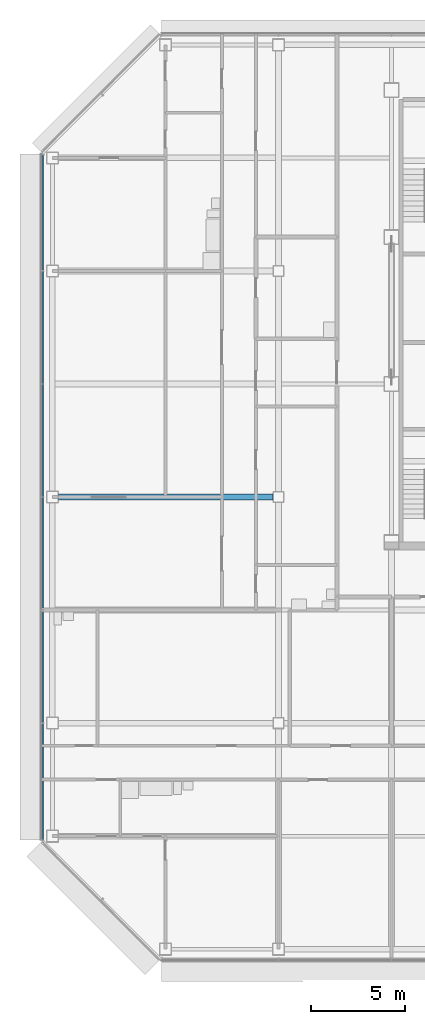
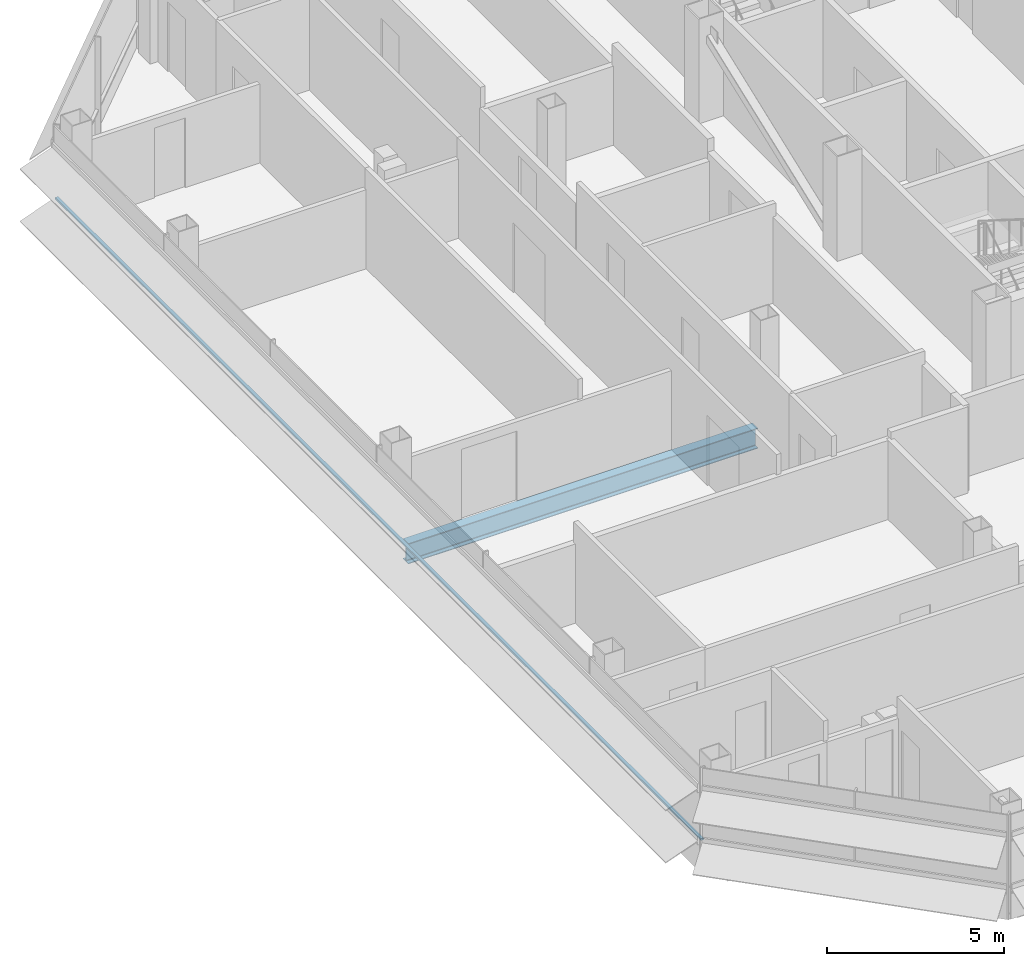
# One storey, part 5 of 27: 1 beam, 1 member, 1 element without a shape of its own.
"""IFC4 building model written with IfcOpenShell, lengths in metres."""

from ifc_helpers import new_model, si_unit, direction, frame, origin, origin_2d, place, context, subcontext, project, spatial, rectangle, i_section, extrude, material, material_profile, profile_set, type_object, element, aggregate, save


model = new_model("IFC4")

# Units and contexts
model_context = context("Model", 3, precision=1e-05, world=origin(), true_north=direction((0.0, 1.0)))
body_context = subcontext(model_context, "Body", "Model", "MODEL_VIEW")
ifc_project = project(units=[si_unit("LENGTHUNIT", "METRE"), si_unit("AREAUNIT", "SQUARE_METRE"), si_unit("VOLUMEUNIT", "CUBIC_METRE"), si_unit("PLANEANGLEUNIT", "RADIAN"), si_unit("MASSUNIT", "GRAM", prefix="KILO")], contexts=[model_context])

# Site, building, storey
site_placement = place(None, origin())
site = spatial("IfcSite", under=ifc_project, at=site_placement, CompositionType="ELEMENT")
building_placement = place(site_placement, origin())
building = spatial("IfcBuilding", under=site, at=building_placement, Name="Sorahane Residences", CompositionType="ELEMENT")
storey_placement = place(building_placement, frame((0.0, 0.0, 239.60009765625)))
storey = spatial("IfcBuildingStorey", under=building, at=storey_placement, Name="L56", CompositionType="ELEMENT", Elevation=239.60009765625)

# Curtain wall, member
ifc_material_1 = material(Name="Dark low-e glass and black anodised aluminium", Category="aluminium")
curtain_wall_type = type_object("IfcCurtainWallType", Name="Curtain wall CW-1 Typical unitised wall", PredefinedType="NOTDEFINED", material=ifc_material_1)
curtain_wall_placement = place(storey_placement, origin())
curtain_wall = element("IfcCurtainWall", 1, at=curtain_wall_placement, inside=storey, type_object=curtain_wall_type, Name="CW-1 curtain wall L56 W1", PredefinedType="NOTDEFINED")
ifc_material_2 = material(Name="Black anodised aluminium", Category="aluminium")
ifc_material_profile_1 = material_profile(ifc_material_2, rectangle(XDim=0.10009765625, YDim=0.06005859375, at=origin_2d()), Name="Curtain wall transom CW-1 black anodised aluminium 60x100")
ifc_profile_set_1 = profile_set([ifc_material_profile_1], Name="Black anodised aluminium")
member_type = type_object("IfcMemberType", Name="Curtain wall transom CW-1 black anodised aluminium 60x100", PredefinedType="USERDEFINED", material=ifc_profile_set_1)
member_placement = place(storey_placement, frame((-12.530029296875, 42.198486328125, 0.89990234375), z_axis=(0.0, -1.0, 0.0), x_axis=(1.0, 0.0, 0.0)))
member = element("IfcMember", 2, at=member_placement, type_object=member_type, Name="CW-1 transom L56 W1", ObjectType="TRANSOM", PredefinedType="USERDEFINED", context=body_context, shape_type="SweptSolid", body=[
    extrude(rectangle(XDim=0.10009765625, YDim=0.06005859375, at=origin_2d()), origin(), (0.0, 0.0, 1.0), 36.39697265625),
])
aggregate(curtain_wall, [member])

# Beam
ifc_material_3 = material(Name="Steel Q355B", Category="steel")
ifc_material_profile_2 = material_profile(ifc_material_3, i_section(OverallWidth=0.300048828125, OverallDepth=0.699951171875, WebThickness=0.012939453125, FlangeThickness=0.02392578125, FilletRadius=0.028076171875, at=origin_2d()), Name="HN 700x300x13x24")
ifc_profile_set_2 = profile_set([ifc_material_profile_2], Name="Steel Q355B")
beam_type = type_object("IfcBeamType", Name="Steel floor beam HN 700x300x13x24 Q355B", PredefinedType="BEAM", material=ifc_profile_set_2)
beam_placement = place(storey_placement, frame((-11.675048828125, 24.0, -0.530029296875), z_axis=(1.0, 0.0, 0.0), x_axis=(0.0, 1.0, 0.0)))
element("IfcBeam", 3, at=beam_placement, inside=storey, type_object=beam_type, Name="Beam L56 011", PredefinedType="BEAM", context=body_context, shape_type="SweptSolid", body=[
    extrude(i_section(OverallWidth=0.300048828125, OverallDepth=0.699951171875, WebThickness=0.012939453125, FlangeThickness=0.02392578125, FilletRadius=0.028076171875, at=origin_2d()), origin(), (0.0, 0.0, 1.0), 11.375),
])

save(model, "model.ifc")
